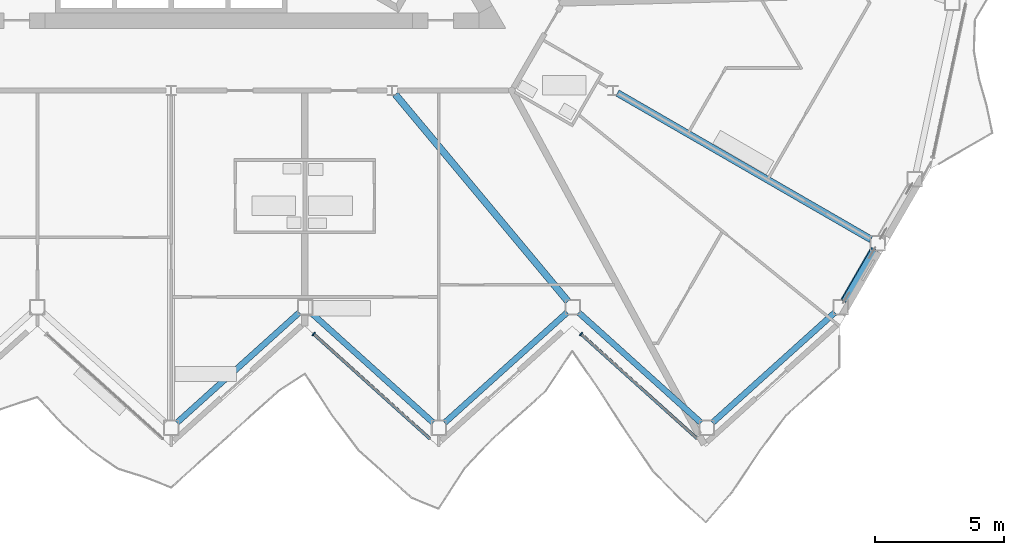
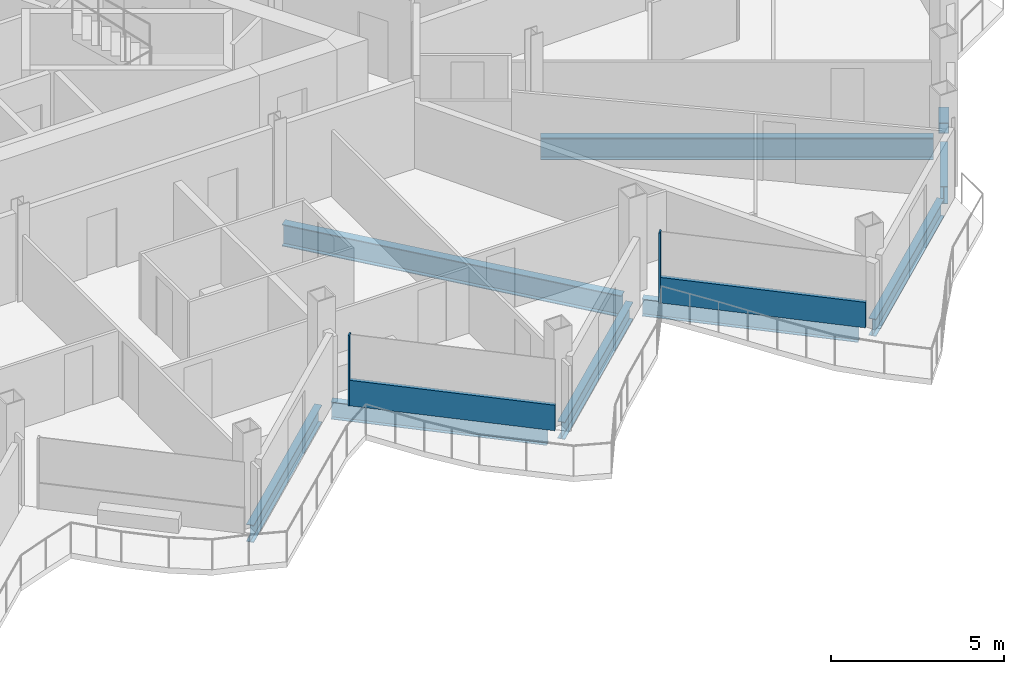
# One storey, part 7 of 28: 8 beams, 5 members, 2 elements without a shape of their own.
"""IFC4 building model written with IfcOpenShell, lengths in metres."""

from ifc_helpers import new_model, si_unit, direction, frame, origin, origin_2d, place, context, subcontext, project, spatial, rectangle, hollow_rectangle, i_section, extrude, material, layer, layer_set, material_profile, profile_set, type_object, element, aggregate, save


model = new_model("IFC4")

# Units and contexts
model_context = context("Model", 3, precision=1e-05, world=origin(), true_north=direction((0.0, 1.0)))
body_context = subcontext(model_context, "Body", "Model", "MODEL_VIEW")
ifc_project = project(units=[si_unit("LENGTHUNIT", "METRE"), si_unit("AREAUNIT", "SQUARE_METRE"), si_unit("VOLUMEUNIT", "CUBIC_METRE"), si_unit("PLANEANGLEUNIT", "RADIAN"), si_unit("MASSUNIT", "GRAM", prefix="KILO")], contexts=[model_context])

# Site, building, storey
site_placement = place(None, origin())
site = spatial("IfcSite", under=ifc_project, at=site_placement, CompositionType="ELEMENT")
building_placement = place(site_placement, origin())
building = spatial("IfcBuilding", under=site, at=building_placement, Name="Cormorant Prow Tower", CompositionType="ELEMENT")
storey_placement = place(building_placement, frame((0.0, 0.0, 308.60009765625)))
storey = spatial("IfcBuildingStorey", under=building, at=storey_placement, Name="L67", CompositionType="ELEMENT", Elevation=308.60009765625)

# Member
ifc_material_1 = material(Name="Structural steel ASTM A500 Gr C", Category="steel")
ifc_material_profile_1 = material_profile(ifc_material_1, hollow_rectangle(XDim=0.3046875, YDim=0.3046875, WallThickness=0.01171875, at=origin_2d()), Name="HSS12x12x1/2")
ifc_profile_set_1 = profile_set([ifc_material_profile_1], Name="Structural steel ASTM A500 Gr C")
member_type_1 = type_object("IfcMemberType", Name="Chamfer brace HSS12x12x1/2", PredefinedType="BRACE", material=ifc_profile_set_1)
member_1_placement = place(storey_placement, frame((27.27490234375, -16.110595703125, 0.740966796875), z_axis=(-0.456247183882, -0.790292391402, 0.408994429415), x_axis=(0.866038851724, -0.499976706761, 0.0)))
element("IfcMember", 1, at=member_1_placement, inside=storey, type_object=member_type_1, Name="Chamfer brace BR3 at ESE00 L67", PredefinedType="BRACE", context=body_context, shape_type="SweptSolid", body=[
    extrude(hollow_rectangle(XDim=0.3046875, YDim=0.3046875, WallThickness=0.01171875, at=origin_2d()), origin(), (0.0, 0.0, 1.0), 2.459228515625),
])

# Beams
ifc_material_2 = material(Name="Structural steel ASTM A992 Gr 50", Category="steel")
ifc_material_profile_2 = material_profile(ifc_material_2, i_section(OverallWidth=0.267822265625, OverallDepth=0.77001953125, WebThickness=0.015625, FlangeThickness=0.025390625, at=origin_2d()), Name="W30x132")
ifc_profile_set_2 = profile_set([ifc_material_profile_2], Name="Structural steel ASTM A992 Gr 50")
beam_type_1 = type_object("IfcBeamType", Name="Radial floor beam W30x132", PredefinedType="BEAM", material=ifc_profile_set_2)
beam_1_placement = place(storey_placement, frame((8.705078125, -10.057373046875, -0.68505859375), z_axis=(0.640239469619, -0.768175384624, 0.0), x_axis=(0.768175384624, 0.640239469619, 0.0)))
element("IfcBeam", 2, at=beam_1_placement, inside=storey, type_object=beam_type_1, Name="Radial floor beam FB3 8 L67", PredefinedType="BEAM", context=body_context, shape_type="SweptSolid", body=[
    extrude(i_section(OverallWidth=0.267822265625, OverallDepth=0.77001953125, WebThickness=0.015625, FlangeThickness=0.025390625, at=origin_2d()), origin(), (0.0, 0.0, 1.0), 10.465087890625),
])
beam_2_placement = place(storey_placement, frame((17.328125, -10.00439453125, -0.68505859375), z_axis=(0.866024637028, -0.500001328059, 0.0), x_axis=(0.500001328059, 0.866024637028, 0.0)))
element("IfcBeam", 3, at=beam_2_placement, inside=storey, type_object=beam_type_1, Name="Radial floor beam FB3 9 L67", PredefinedType="BEAM", context=body_context, shape_type="SweptSolid", body=[
    extrude(i_section(OverallWidth=0.267822265625, OverallDepth=0.77001953125, WebThickness=0.015625, FlangeThickness=0.025390625, at=origin_2d()), origin(), (0.0, 0.0, 1.0), 11.3671875),
])

# Curtain wall, member
ifc_material_3 = material(Name="Aluminium 6063-T6", Category="aluminium")
ifc_layer = layer(ifc_material_3, 0.159912109375)
ifc_layer_set = layer_set([ifc_layer], Name="Aluminium 6063-T6")
curtain_wall_type = type_object("IfcCurtainWallType", Name="Residential unitised curtain wall 160", PredefinedType="NOTDEFINED", material=ifc_layer_set)
curtain_wall_1_placement = place(storey_placement, origin())
curtain_wall_1 = element("IfcCurtainWall", 4, at=curtain_wall_1_placement, inside=storey, type_object=curtain_wall_type, Name="Residential curtain wall S06", PredefinedType="NOTDEFINED")
ifc_material_4 = material(Name="Aluminium 6063-T6", Category="aluminium")
ifc_material_profile_3 = material_profile(ifc_material_4, rectangle(XDim=0.159912109375, YDim=0.050048828125, at=origin_2d()), Name="Residential mullion 50x160")
ifc_profile_set_3 = profile_set([ifc_material_profile_3], Name="Aluminium 6063-T6")
member_type_2 = type_object("IfcMemberType", Name="Residential mullion 50x160", PredefinedType="MULLION", material=ifc_profile_set_3)
member_2_placement = place(storey_placement, frame((5.531982421875, -19.362060546875, 0.0), z_axis=(0.0, 0.0, 1.0), x_axis=(0.669130584997, 0.743144844712, 0.0)))
member_2 = element("IfcMember", 5, at=member_2_placement, type_object=member_type_2, Name="Residential mullion S06", PredefinedType="MULLION", context=body_context, shape_type="SweptSolid", body=[
    extrude(rectangle(XDim=0.159912109375, YDim=0.050048828125, at=origin_2d()), origin(), (0.0, 0.0, 1.0), 2.48779296875),
])

curtain_wall_2_placement = place(storey_placement, origin())
curtain_wall_2 = element("IfcCurtainWall", 6, at=curtain_wall_2_placement, inside=storey, type_object=curtain_wall_type, Name="Residential curtain wall S08", PredefinedType="NOTDEFINED")
member_3_placement = place(storey_placement, frame((15.913818359375, -19.362060546875, 0.0), z_axis=(0.0, 0.0, 1.0), x_axis=(0.669130584997, 0.743144844712, 0.0)))
member_3 = element("IfcMember", 7, at=member_3_placement, type_object=member_type_2, Name="Residential mullion S08", PredefinedType="MULLION", context=body_context, shape_type="SweptSolid", body=[
    extrude(rectangle(XDim=0.159912109375, YDim=0.050048828125, at=origin_2d()), origin(), (0.0, 0.0, 1.0), 2.48779296875),
])

# Member
ifc_material_5 = material(Name="Terracotta", Category="masonry")
ifc_material_profile_4 = material_profile(ifc_material_5, rectangle(XDim=0.1201171875, YDim=0.89990234375, at=origin_2d()), Name="Residential terracotta spandrel rail 120x900")
ifc_profile_set_4 = profile_set([ifc_material_profile_4], Name="Terracotta")
member_type_3 = type_object("IfcMemberType", Name="Residential terracotta spandrel rail 120x900", PredefinedType="USERDEFINED", material=ifc_profile_set_4)
member_4_placement = place(storey_placement, frame((5.550537109375, -19.37890625, 0.449951171875), z_axis=(0.74315806971, -0.669115896856, 0.0), x_axis=(0.669115896856, 0.74315806971, 0.0)))
member_4 = element("IfcMember", 8, at=member_4_placement, type_object=member_type_3, Name="Residential spandrel rail S06", ObjectType="TRANSOM", PredefinedType="USERDEFINED", context=body_context, shape_type="SweptSolid", body=[
    extrude(rectangle(XDim=0.1201171875, YDim=0.89990234375, at=origin_2d()), origin(), (0.0, 0.0, 1.0), 6.067138671875),
])

aggregate(curtain_wall_1, [member_2, member_4])

member_5_placement = place(storey_placement, frame((15.9326171875, -19.37890625, 0.449951171875), z_axis=(0.743140052667, -0.669135907064, 0.0), x_axis=(0.669135907064, 0.743140052667, 0.0)))
member_5 = element("IfcMember", 9, at=member_5_placement, type_object=member_type_3, Name="Residential spandrel rail S08", ObjectType="TRANSOM", PredefinedType="USERDEFINED", context=body_context, shape_type="SweptSolid", body=[
    extrude(rectangle(XDim=0.1201171875, YDim=0.89990234375, at=origin_2d()), origin(), (0.0, 0.0, 1.0), 6.06689453125),
])

aggregate(curtain_wall_2, [member_3, member_5])

# Beams
ifc_material_6 = material(Name="Structural steel ASTM A992 Gr 50", Category="steel")
ifc_material_profile_5 = material_profile(ifc_material_6, i_section(OverallWidth=0.22900390625, OverallDepth=0.612060546875, WebThickness=0.011962890625, FlangeThickness=0.01953125, at=origin_2d()), Name="W24x84")
ifc_profile_set_5 = profile_set([ifc_material_profile_5], Name="Structural steel ASTM A992 Gr 50")
beam_type_2 = type_object("IfcBeamType", Name="Spandrel beam W24x84", PredefinedType="SPANDREL", material=ifc_profile_set_5)
for number, where, z_axis, x_axis, name in (
    (10, (0.222900390625, -22.807373046875, -0.606201171875), (0.743144186555, 0.669131315954, 0.0), (-0.669131315954, 0.743144186555, 0.0), "Spandrel beam SB3 S05-S06 L67"),
    (11, (5.422119140625, -18.527587890625, -0.606201171875), (0.743144186555, -0.669131315954, 0.0), (0.669131315954, 0.743144186555, 0.0), "Spandrel beam SB3 S06-S07 L67"),
    (12, (10.62109375, -22.807373046875, -0.606201171875), (0.743144186555, 0.669131315954, 0.0), (-0.669131315954, 0.743144186555, 0.0), "Spandrel beam SB3 S07-S08 L67"),
):
    element("IfcBeam", number, at=place(storey_placement, frame(where, z_axis=z_axis, x_axis=x_axis)), inside=storey, type_object=beam_type_2, Name=name, PredefinedType="SPANDREL", context=body_context, shape_type="SweptSolid", body=[
        extrude(i_section(OverallWidth=0.22900390625, OverallDepth=0.612060546875, WebThickness=0.011962890625, FlangeThickness=0.01953125, at=origin_2d()), origin(), (0.0, 0.0, 1.0), 6.39599609375),
    ])
beam_3_placement = place(storey_placement, frame((15.820068359375, -18.527587890625, -0.606201171875), z_axis=(0.743161276225, -0.669112335502, 0.0), x_axis=(0.669112335502, 0.743161276225, 0.0)))
element("IfcBeam", 13, at=beam_3_placement, inside=storey, type_object=beam_type_2, Name="Spandrel beam SB3 S08-S09 L67", PredefinedType="SPANDREL", context=body_context, shape_type="SweptSolid", body=[
    extrude(i_section(OverallWidth=0.22900390625, OverallDepth=0.612060546875, WebThickness=0.011962890625, FlangeThickness=0.01953125, at=origin_2d()), origin(), (0.0, 0.0, 1.0), 6.396240234375),
])
beam_4_placement = place(storey_placement, frame((21.019287109375, -22.807373046875, -0.606201171875), z_axis=(0.743144186555, 0.669131315954, 0.0), x_axis=(-0.669131315954, 0.743144186555, 0.0)))
element("IfcBeam", 14, at=beam_4_placement, inside=storey, type_object=beam_type_2, Name="Spandrel beam SB3 S09-ESE00 L67", PredefinedType="SPANDREL", context=body_context, shape_type="SweptSolid", body=[
    extrude(i_section(OverallWidth=0.22900390625, OverallDepth=0.612060546875, WebThickness=0.011962890625, FlangeThickness=0.01953125, at=origin_2d()), origin(), (0.0, 0.0, 1.0), 6.39599609375),
])
beam_5_placement = place(storey_placement, frame((26.1455078125, -18.06689453125, -0.606201171875), z_axis=(0.49997342893, 0.866040744055, 0.0), x_axis=(-0.866040744055, 0.49997342893, 0.0)))
element("IfcBeam", 15, at=beam_5_placement, inside=storey, type_object=beam_type_2, Name="Spandrel beam SB3 ESE00-ESE01 L67", PredefinedType="SPANDREL", context=body_context, shape_type="SweptSolid", body=[
    extrude(i_section(OverallWidth=0.22900390625, OverallDepth=0.612060546875, WebThickness=0.011962890625, FlangeThickness=0.01953125, at=origin_2d()), origin(), (0.0, 0.0, 1.0), 2.2734375),
])

save(model, "model.ifc")
